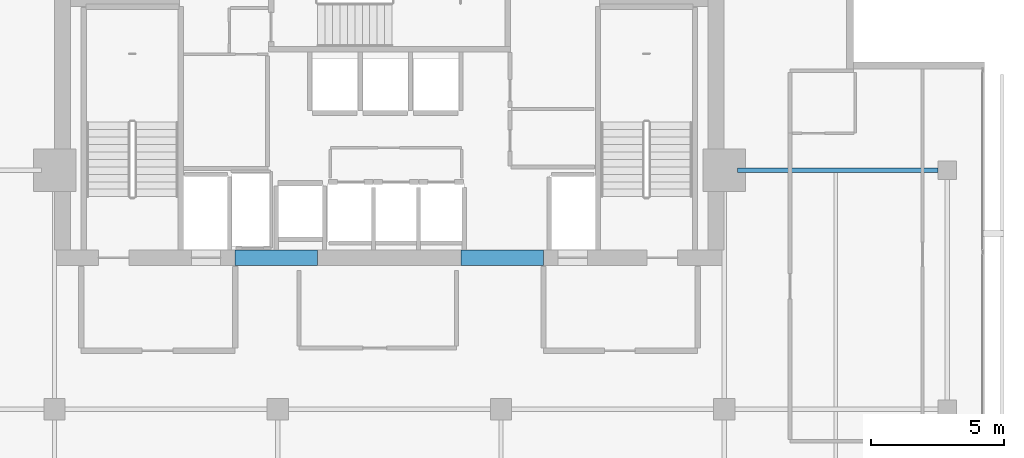
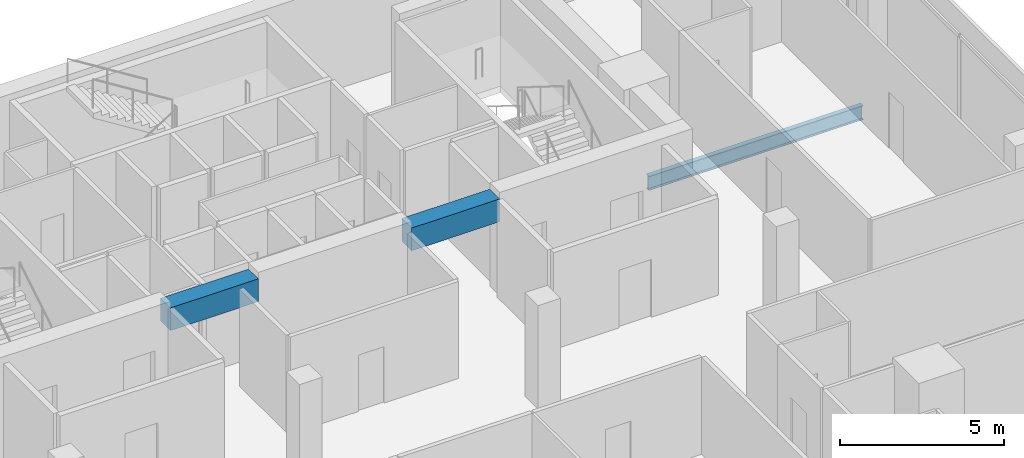
# One storey, part 17 of 25: 3 beams.
"""IFC4 building model written with IfcOpenShell, lengths in metres."""

from ifc_helpers import new_model, si_unit, direction, frame, origin, origin_2d, place, context, subcontext, project, spatial, rectangle, i_section, extrude, material, material_profile, profile_set, type_object, element, save


model = new_model("IFC4")

# Units and contexts
model_context = context("Model", 3, precision=1e-05, world=origin(), true_north=direction((0.0, 1.0)))
body_context = subcontext(model_context, "Body", "Model", "MODEL_VIEW")
ifc_project = project(units=[si_unit("LENGTHUNIT", "METRE"), si_unit("AREAUNIT", "SQUARE_METRE"), si_unit("VOLUMEUNIT", "CUBIC_METRE"), si_unit("PLANEANGLEUNIT", "RADIAN"), si_unit("MASSUNIT", "GRAM", prefix="KILO")], contexts=[model_context])

# Site, building, storey
site_placement = place(None, origin())
site = spatial("IfcSite", under=ifc_project, at=site_placement, CompositionType="ELEMENT")
building_placement = place(site_placement, origin())
building = spatial("IfcBuilding", under=site, at=building_placement, Name="Maruvema Waterfront Hotel and Observation Tower", CompositionType="ELEMENT")
storey_placement = place(building_placement, frame((0.0, 0.0, 281.75)))
storey = spatial("IfcBuildingStorey", under=building, at=storey_placement, Name="L69", CompositionType="ELEMENT", Elevation=281.75)

# Beams
ifc_material_1 = material(Name="Concrete C60/75", Category="concrete")
ifc_material_profile_1 = material_profile(ifc_material_1, rectangle(XDim=0.60009765625, YDim=0.85009765625, at=origin_2d()), Name="CB600x850")
ifc_profile_set_1 = profile_set([ifc_material_profile_1], Name="Concrete C60/75")
beam_type_1 = type_object("IfcBeamType", Name="Core Coupling Lintel Beam CB600x850", PredefinedType="LINTEL", material=ifc_profile_set_1)
for number, where, z_axis, x_axis, name in (
    (1, (32.0, 41.699951171875, 3.18505859375), (1.0, 0.0, 0.0), (0.0, 1.0, 0.0), "L69 Core Coupling Lintel Beam West"),
    (2, (40.5, 41.699951171875, 3.18505859375), (1.0, 0.0, 0.0), (0.0, 1.0, 0.0), "L69 Core Coupling Lintel Beam East"),
):
    element("IfcBeam", number, at=place(storey_placement, frame(where, z_axis=z_axis, x_axis=x_axis)), inside=storey, type_object=beam_type_1, Name=name, PredefinedType="LINTEL", context=body_context, shape_type="SweptSolid", body=[
        extrude(rectangle(XDim=0.60009765625, YDim=0.85009765625, at=origin_2d()), origin(), (0.0, 0.0, 1.0), 3.10009765625),
    ])
ifc_material_2 = material(Name="Steel ASTM A572 Grade 50", Category="steel")
ifc_material_profile_2 = material_profile(ifc_material_2, i_section(OverallWidth=0.166015625, OverallDepth=0.529052734375, WebThickness=0.009765625, FlangeThickness=0.013671875, FilletRadius=0.014892578125, at=origin_2d()), Name="W530x74.0")
ifc_profile_set_2 = profile_set([ifc_material_profile_2], Name="Steel ASTM A572 Grade 50")
beam_type_2 = type_object("IfcBeamType", Name="Primary Floor Girder W530x74.0", PredefinedType="BEAM", material=ifc_profile_set_2)
beam_placement = place(storey_placement, frame((50.89990234375, 45.0, -0.50439453125), z_axis=(1.0, 0.0, 0.0), x_axis=(0.0, 1.0, 0.0)))
element("IfcBeam", 3, at=beam_placement, inside=storey, type_object=beam_type_2, Name="L69 Floor Girder EW-18", PredefinedType="BEAM", context=body_context, shape_type="SweptSolid", body=[
    extrude(i_section(OverallWidth=0.166015625, OverallDepth=0.529052734375, WebThickness=0.009765625, FlangeThickness=0.013671875, FilletRadius=0.014892578125, at=origin_2d()), origin(), (0.0, 0.0, 1.0), 7.550048828125),
])

save(model, "model.ifc")
